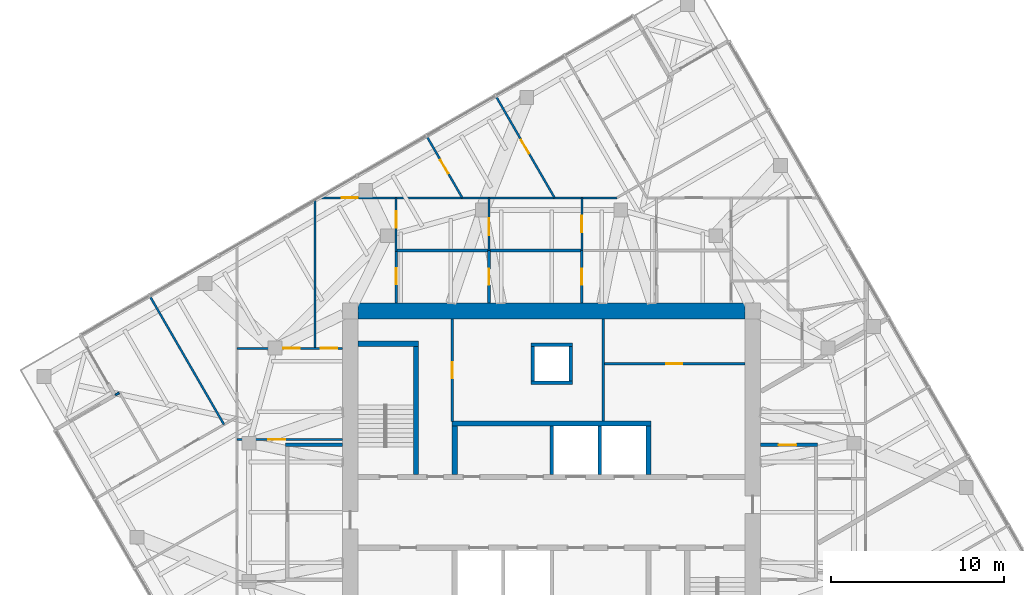
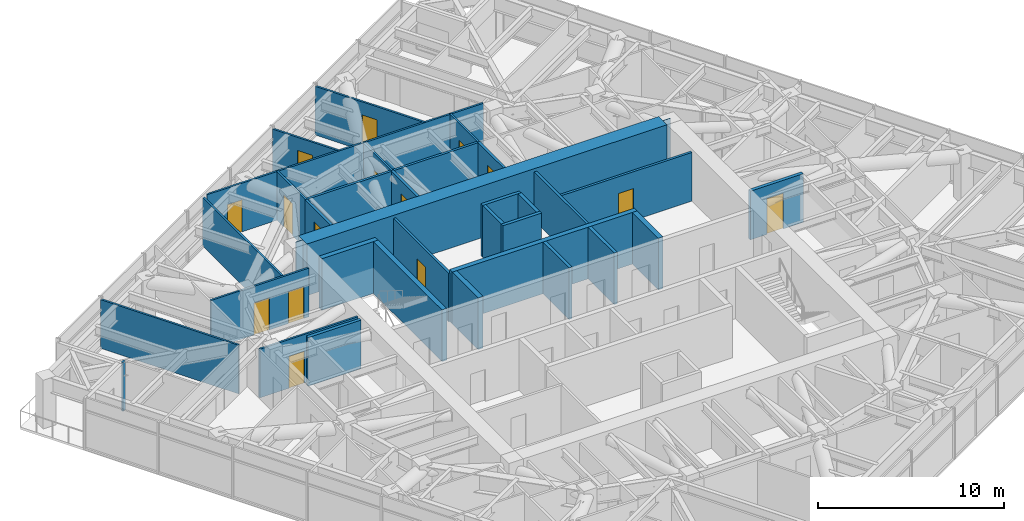
# One storey, part 13 of 16: 32 walls, 15 doors, 15 openings.
"""IFC4 building model written with IfcOpenShell, lengths in metres."""

from ifc_helpers import new_model, si_unit, direction, frame, frame_2d, origin, place, context, subcontext, project, spatial, polyline, rectangle, outline, extrude, material, layer, layer_set, type_object, element, fill, save


model = new_model("IFC4")

# Units and contexts
model_context = context("Model", 3, precision=1e-05, world=origin(), true_north=direction((0.0, 1.0)))
body_context = subcontext(model_context, "Body", "Model", "MODEL_VIEW")
ifc_project = project(units=[si_unit("LENGTHUNIT", "METRE"), si_unit("AREAUNIT", "SQUARE_METRE"), si_unit("VOLUMEUNIT", "CUBIC_METRE"), si_unit("PLANEANGLEUNIT", "RADIAN"), si_unit("MASSUNIT", "GRAM", prefix="KILO")], contexts=[model_context])

# Site, building, storey
site_placement = place(None, origin())
site = spatial("IfcSite", under=ifc_project, at=site_placement, CompositionType="ELEMENT")
building_placement = place(site_placement, origin())
building = spatial("IfcBuilding", under=site, at=building_placement, Name="Torsade Residences", CompositionType="ELEMENT")
storey_placement = place(building_placement, frame((0.0, 0.0, 232.0)))
storey = spatial("IfcBuildingStorey", under=building, at=storey_placement, Name="L64", CompositionType="ELEMENT", Elevation=232.0)

# Walls
ifc_material_1 = material(Name="Concrete 80 MPa", Category="concrete")
ifc_layer_1 = layer(ifc_material_1, 0.300048828125)
ifc_layer_set_1 = layer_set([ifc_layer_1], Name="Concrete 80 MPa")
wall_type_1 = type_object("IfcWallType", Name="CORE INTERNAL WALL 300", PredefinedType="SHEAR", material=ifc_layer_set_1)
wall_1_placement = place(storey_placement, frame((34.25, 35.14990234375, 0.0), z_axis=(0.0, 0.0, 1.0), x_axis=(1.0, 0.0, 0.0)))
element("IfcWall", 1, at=wall_1_placement, inside=storey, type_object=wall_type_1, Name="Core wall BN L64", PredefinedType="SHEAR", context=body_context, shape_type="SweptSolid", body=[
    extrude(rectangle(XDim=11.5, YDim=0.300048828125, at=frame_2d((5.75, 0.0))), origin(), (0.0, 0.0, 1.0), 3.39990234375),
])
for number, where, z_axis, x_axis, name in (
    (2, (34.39990234375, 32.199951171875, 0.0), (0.0, 0.0, 1.0), (0.0, 1.0, 0.0), "Core wall DN0 L64"),
    (3, (45.60009765625, 32.199951171875, 0.0), (0.0, 0.0, 1.0), (0.0, 1.0, 0.0), "Core wall DN4 L64"),
):
    element("IfcWall", number, at=place(storey_placement, frame(where, z_axis=z_axis, x_axis=x_axis)), inside=storey, type_object=wall_type_1, Name=name, PredefinedType="SHEAR", context=body_context, shape_type="SweptSolid", body=[
        extrude(rectangle(XDim=2.800048828125, YDim=0.300048828125, at=frame_2d((1.39990234375, 0.0))), origin(), (0.0, 0.0, 1.0), 3.39990234375),
    ])
wall_2_placement = place(storey_placement, frame((32.14990234375, 32.199951171875, 0.0), z_axis=(0.0, 0.0, 1.0), x_axis=(0.0, 1.0, 0.0)))
element("IfcWall", 4, at=wall_2_placement, inside=storey, type_object=wall_type_1, Name="Core wall ST1E L64", PredefinedType="SHEAR", context=body_context, shape_type="SweptSolid", body=[
    extrude(rectangle(XDim=7.699951171875, YDim=0.300048828125, at=frame_2d((3.85009765625, 0.0))), origin(), (0.0, 0.0, 1.0), 3.39990234375),
])
wall_3_placement = place(storey_placement, frame((28.800048828125, 39.75, 0.0), z_axis=(0.0, 0.0, 1.0), x_axis=(1.0, 0.0, 0.0)))
element("IfcWall", 5, at=wall_3_placement, inside=storey, type_object=wall_type_1, Name="Core wall ST1N L64", PredefinedType="SHEAR", context=body_context, shape_type="SweptSolid", body=[
    extrude(rectangle(XDim=3.5, YDim=0.300048828125, at=frame_2d((1.75, 0.0))), origin(), (0.0, 0.0, 1.0), 3.39990234375),
])
ifc_material_2 = material(Name="Concrete 80 MPa", Category="concrete")
ifc_layer_2 = layer(ifc_material_2, 0.89990234375)
ifc_layer_set_2 = layer_set([ifc_layer_2], Name="Concrete 80 MPa")
wall_type_2 = type_object("IfcWallType", Name="CORE WALL 900", PredefinedType="SHEAR", material=ifc_layer_set_2)
wall_4_placement = place(storey_placement, frame((28.800048828125, 41.64990234375, 0.0), z_axis=(0.0, 0.0, 1.0), x_axis=(1.0, 0.0, 0.0)))
element("IfcWall", 6, at=wall_4_placement, inside=storey, type_object=wall_type_2, Name="Core wall N L64", PredefinedType="SHEAR", context=body_context, shape_type="SweptSolid", body=[
    extrude(outline(polyline([(0.0, -0.449951171875), (22.39990234375, -0.449951171875), (22.39990234375, -0.02490234375), (22.849853515625, -0.02490234375), (22.849853515625, 0.02490234375), (22.39990234375, 0.02490234375), (22.39990234375, 0.449951171875), (0.0, 0.449951171875), (0.0, 0.02490234375), (-0.449951171875, 0.02490234375), (-0.449951171875, -0.02490234375), (0.0, -0.02490234375), (0.0, -0.449951171875)])), origin(), (0.0, 0.0, 1.0), 3.39990234375),
])

# Wall, opening, door
ifc_material_3 = material(Name="Plasterboard on steel stud", Category="steel")
ifc_layer_3 = layer(ifc_material_3, 0.199951171875)
ifc_layer_set_3 = layer_set([ifc_layer_3], Name="Plasterboard on steel stud")
wall_type_3 = type_object("IfcWallType", Name="CORRIDOR WALL 200", PredefinedType="PARTITIONING", material=ifc_layer_set_3)
wall_5_placement = place(storey_placement, frame((52.10009765625, 33.89990234375, 0.0), z_axis=(0.0, 0.0, 1.0), x_axis=(1.0, 0.0, 0.0)))
wall_5 = element("IfcWall", 7, at=wall_5_placement, inside=storey, type_object=wall_type_3, Name="Corridor wall L64", PredefinedType="PARTITIONING", context=body_context, shape_type="SweptSolid", body=[
    extrude(rectangle(XDim=3.2998046875, YDim=0.199951171875, at=frame_2d((1.64990234375, 0.0))), origin(), (0.0, 0.0, 1.0), 3.199951171875),
])
opening_1_placement = place(wall_5_placement, frame((1.0400390625, 0.0, 0.0)))
opening_1 = element("IfcOpeningElement", 8, at=opening_1_placement, cuts=wall_5, Name="Opening D01", PredefinedType="OPENING", context=body_context, shape_type="SweptSolid", body=[
    extrude(rectangle(XDim=1.02001953125, YDim=2.340087890625, at=frame_2d((0.510009765625, 1.169921875))), frame((0.0, 0.10986328125, 0.0), z_axis=(0.0, -1.0, 0.0), x_axis=(1.0, 0.0, 0.0)), (0.0, 0.0, 1.0), 0.219970703125),
])
ifc_material_4 = material(Name="Solid-core timber fire door", Category="wood")
door_type_1 = type_object("IfcDoorType", Name="APARTMENT ENTRY DOOR 1020x2340", OperationType="NOTDEFINED", PredefinedType="DOOR", material=ifc_material_4)
door_1_placement = place(opening_1_placement, origin())
door_1 = element("IfcDoor", 9, at=door_1_placement, inside=storey, type_object=door_type_1, Name="Door Residential corridor to Kitchen and dining", OperationType="SINGLE_SWING_LEFT", OverallHeight=2.340087890625, OverallWidth=1.02001953125, PredefinedType="DOOR", context=body_context, shape_type="SweptSolid", body=[
    extrude(rectangle(XDim=1.02001953125, YDim=2.340087890625, at=frame_2d((0.510009765625, 1.169921875))), frame((0.0, 0.02490234375, 0.0), z_axis=(0.0, -1.0, 0.0), x_axis=(1.0, 0.0, 0.0)), (0.0, 0.0, 1.0), 0.050048828125),
])
fill(opening_1, door_1)

# Walls
wall_6_placement = place(storey_placement, frame((27.89990234375, 33.89990234375, 0.0), z_axis=(0.0, 0.0, 1.0), x_axis=(-1.0, 0.0, 0.0)))
element("IfcWall", 10, at=wall_6_placement, inside=storey, type_object=wall_type_3, Name="Corridor wall L64", PredefinedType="PARTITIONING", context=body_context, shape_type="SweptSolid", body=[
    extrude(rectangle(XDim=3.2998046875, YDim=0.199951171875, at=frame_2d((1.64990234375, 0.0))), origin(), (0.0, 0.0, 1.0), 3.199951171875),
])
ifc_material_5 = material(Name="Reinforced blockwork", Category="masonry")
ifc_layer_4 = layer(ifc_material_5, 0.199951171875)
ifc_layer_set_4 = layer_set([ifc_layer_4], Name="Reinforced blockwork")
wall_type_4 = type_object("IfcWallType", Name="LIFT SHAFT DIVIDING WALL 200", PredefinedType="SOLIDWALL", material=ifc_layer_set_4)
for number, where, z_axis, x_axis, name in (
    (11, (40.0, 32.199951171875, 0.0), (0.0, 0.0, 1.0), (0.0, 1.0, 0.0), "Core wall DN2 L64"),
    (12, (42.800048828125, 32.199951171875, 0.0), (0.0, 0.0, 1.0), (0.0, 1.0, 0.0), "Core wall DN3 L64"),
):
    element("IfcWall", number, at=place(storey_placement, frame(where, z_axis=z_axis, x_axis=x_axis)), inside=storey, type_object=wall_type_4, Name=name, PredefinedType="SOLIDWALL", context=body_context, shape_type="SweptSolid", body=[
        extrude(rectangle(XDim=2.800048828125, YDim=0.199951171875, at=frame_2d((1.39990234375, 0.0))), origin(), (0.0, 0.0, 1.0), 3.39990234375),
    ])

# Wall, opening, door
ifc_material_6 = material(Name="Plasterboard on steel stud", Category="steel")
ifc_layer_5 = layer(ifc_material_6, 0.1201171875)
ifc_layer_set_5 = layer_set([ifc_layer_5], Name="Plasterboard on steel stud")
wall_type_5 = type_object("IfcWallType", Name="PARTITION 120", PredefinedType="PARTITIONING", material=ifc_layer_set_5)
wall_7_placement = place(storey_placement, frame((21.800048828125, 34.2158203125, 0.0), z_axis=(0.0, 0.0, 1.0), x_axis=(1.0, 0.0, 0.0)))
wall_7 = element("IfcWall", 13, at=wall_7_placement, inside=storey, type_object=wall_type_5, Name="Partition L64", PredefinedType="PARTITIONING", context=body_context, shape_type="SweptSolid", body=[
    extrude(rectangle(XDim=6.099853515625, YDim=0.1201171875, at=frame_2d((3.0498046875, 0.0))), origin(), (0.0, 0.0, 1.0), 3.199951171875),
])
opening_2_placement = place(wall_7_placement, frame((1.820068359375, 0.0, 0.0)))
opening_2 = element("IfcOpeningElement", 14, at=opening_2_placement, cuts=wall_7, Name="Opening D05", PredefinedType="OPENING", context=body_context, shape_type="SweptSolid", body=[
    extrude(rectangle(XDim=0.9599609375, YDim=2.10009765625, at=frame_2d((0.47998046875, 1.050048828125))), frame((0.0, 0.070068359375, 0.0), z_axis=(0.0, -1.0, 0.0), x_axis=(1.0, 0.0, 0.0)), (0.0, 0.0, 1.0), 0.14013671875),
])
ifc_material_7 = material(Name="Hollow-core timber door in a steel cavity frame", Category="steel")
door_type_2 = type_object("IfcDoorType", Name="BATHROOM CAVITY SLIDING DOOR 960", OperationType="SLIDING_TO_LEFT", PredefinedType="DOOR", material=ifc_material_7)
door_2_placement = place(opening_2_placement, origin())
door_2 = element("IfcDoor", 15, at=door_2_placement, inside=storey, type_object=door_type_2, Name="Door Kitchen and dining to Laundry", OperationType="SLIDING_TO_LEFT", OverallHeight=2.10009765625, OverallWidth=0.9599609375, PredefinedType="DOOR", context=body_context, shape_type="SweptSolid", body=[
    extrude(rectangle(XDim=0.9599609375, YDim=2.10009765625, at=frame_2d((0.47998046875, 1.050048828125))), frame((0.0, 0.02490234375, 0.0), z_axis=(0.0, -1.0, 0.0), x_axis=(1.0, 0.0, 0.0)), (0.0, 0.0, 1.0), 0.050048828125),
])
fill(opening_2, door_2)

# Wall
wall_8_placement = place(storey_placement, frame((26.322021484375, 39.489501953125, 0.0), z_axis=(0.0, 0.0, 1.0), x_axis=(0.0, 1.0, 0.0)))
element("IfcWall", 16, at=wall_8_placement, inside=storey, type_object=wall_type_5, Name="Partition L64", PredefinedType="PARTITIONING", context=body_context, shape_type="SweptSolid", body=[
    extrude(rectangle(XDim=8.548095703125, YDim=0.1201171875, at=frame_2d((4.27392578125, 0.0))), origin(), (0.0, 0.0, 1.0), 3.199951171875),
])

# Wall, openings, doors
wall_9_placement = place(storey_placement, frame((27.89990234375, 39.489501953125, 0.0), z_axis=(0.0, 0.0, 1.0), x_axis=(-1.0, 0.0, 0.0)))
wall_9 = element("IfcWall", 17, at=wall_9_placement, inside=storey, type_object=wall_type_5, Name="Partition L64", PredefinedType="PARTITIONING", context=body_context, shape_type="SweptSolid", body=[
    extrude(rectangle(XDim=6.099853515625, YDim=0.1201171875, at=frame_2d((3.0498046875, 0.0))), origin(), (0.0, 0.0, 1.0), 3.199951171875),
])
opening_3_placement = place(wall_9_placement, frame((2.458984375, 0.0, 0.0)))
opening_3 = element("IfcOpeningElement", 18, at=opening_3_placement, cuts=wall_9, Name="Opening D05", PredefinedType="OPENING", context=body_context, shape_type="SweptSolid", body=[
    extrude(rectangle(XDim=0.9599609375, YDim=2.10009765625, at=frame_2d((0.47998046875, 1.050048828125))), frame((0.0, 0.070068359375, 0.0), z_axis=(0.0, -1.0, 0.0), x_axis=(1.0, 0.0, 0.0)), (0.0, 0.0, 1.0), 0.14013671875),
])
opening_4_placement = place(wall_9_placement, frame((0.30908203125, 0.0, 0.0)))
opening_4 = element("IfcOpeningElement", 19, at=opening_4_placement, cuts=wall_9, Name="Opening D05", PredefinedType="OPENING", context=body_context, shape_type="SweptSolid", body=[
    extrude(rectangle(XDim=0.9599609375, YDim=2.10009765625, at=frame_2d((0.47998046875, 1.050048828125))), frame((0.0, 0.070068359375, 0.0), z_axis=(0.0, -1.0, 0.0), x_axis=(1.0, 0.0, 0.0)), (0.0, 0.0, 1.0), 0.14013671875),
])
door_3_placement = place(opening_3_placement, origin())
door_3 = element("IfcDoor", 20, at=door_3_placement, inside=storey, type_object=door_type_2, Name="Door Laundry to Pantry", OperationType="SLIDING_TO_LEFT", OverallHeight=2.10009765625, OverallWidth=0.9599609375, PredefinedType="DOOR", context=body_context, shape_type="SweptSolid", body=[
    extrude(rectangle(XDim=0.9599609375, YDim=2.10009765625, at=frame_2d((0.47998046875, 1.050048828125))), frame((0.0, 0.02490234375, 0.0), z_axis=(0.0, -1.0, 0.0), x_axis=(1.0, 0.0, 0.0)), (0.0, 0.0, 1.0), 0.050048828125),
])
fill(opening_3, door_3)
door_4_placement = place(opening_4_placement, origin())
door_4 = element("IfcDoor", 21, at=door_4_placement, inside=storey, type_object=door_type_2, Name="Door Laundry to Scullery", OperationType="SLIDING_TO_LEFT", OverallHeight=2.10009765625, OverallWidth=0.9599609375, PredefinedType="DOOR", context=body_context, shape_type="SweptSolid", body=[
    extrude(rectangle(XDim=0.9599609375, YDim=2.10009765625, at=frame_2d((0.47998046875, 1.050048828125))), frame((0.0, 0.02490234375, 0.0), z_axis=(0.0, -1.0, 0.0), x_axis=(1.0, 0.0, 0.0)), (0.0, 0.0, 1.0), 0.050048828125),
])
fill(opening_4, door_4)

# Wall, opening, door
wall_10_placement = place(storey_placement, frame((31.002685546875, 48.199951171875, 0.0), z_axis=(0.0, 0.0, 1.0), x_axis=(0.0, -1.0, 0.0)))
wall_10 = element("IfcWall", 22, at=wall_10_placement, inside=storey, type_object=wall_type_5, Name="Partition L64", PredefinedType="PARTITIONING", context=body_context, shape_type="SweptSolid", body=[
    extrude(rectangle(XDim=3.099853515625, YDim=0.1201171875, at=frame_2d((1.5498046875, 0.0))), origin(), (0.0, 0.0, 1.0), 3.199951171875),
])
opening_5_placement = place(wall_10_placement, frame((0.77001953125, 0.0, 0.0)))
opening_5 = element("IfcOpeningElement", 23, at=opening_5_placement, cuts=wall_10, Name="Opening D05", PredefinedType="OPENING", context=body_context, shape_type="SweptSolid", body=[
    extrude(rectangle(XDim=0.9599609375, YDim=2.10009765625, at=frame_2d((0.47998046875, 1.050048828125))), frame((0.0, 0.070068359375, 0.0), z_axis=(0.0, -1.0, 0.0), x_axis=(1.0, 0.0, 0.0)), (0.0, 0.0, 1.0), 0.14013671875),
])
door_5_placement = place(opening_5_placement, origin())
door_5 = element("IfcDoor", 24, at=door_5_placement, inside=storey, type_object=door_type_2, Name="Door Scullery to Laundry 2", OperationType="SLIDING_TO_LEFT", OverallHeight=2.10009765625, OverallWidth=0.9599609375, PredefinedType="DOOR", context=body_context, shape_type="SweptSolid", body=[
    extrude(rectangle(XDim=0.9599609375, YDim=2.10009765625, at=frame_2d((0.47998046875, 1.050048828125))), frame((0.0, 0.02490234375, 0.0), z_axis=(0.0, -1.0, 0.0), x_axis=(1.0, 0.0, 0.0)), (0.0, 0.0, 1.0), 0.050048828125),
])
fill(opening_5, door_5)

wall_11_placement = place(storey_placement, frame((26.603271484375, 48.199951171875, 0.0), z_axis=(0.0, 0.0, 1.0), x_axis=(1.0, 0.0, 0.0)))
wall_11 = element("IfcWall", 25, at=wall_11_placement, inside=storey, type_object=wall_type_5, Name="Partition L64", PredefinedType="PARTITIONING", context=body_context, shape_type="SweptSolid", body=[
    extrude(rectangle(XDim=17.170166015625, YDim=0.1201171875, at=frame_2d((8.5849609375, 0.0))), origin(), (0.0, 0.0, 1.0), 3.199951171875),
])
opening_6_placement = place(wall_11_placement, frame((1.249755859375, 0.0, 0.0)))
opening_6 = element("IfcOpeningElement", 26, at=opening_6_placement, cuts=wall_11, Name="Opening D02L", PredefinedType="OPENING", context=body_context, shape_type="SweptSolid", body=[
    extrude(rectangle(XDim=0.919921875, YDim=2.10009765625, at=frame_2d((0.4599609375, 1.050048828125))), frame((0.0, 0.070068359375, 0.0), z_axis=(0.0, -1.0, 0.0), x_axis=(1.0, 0.0, 0.0)), (0.0, 0.0, 1.0), 0.14013671875),
])
ifc_material_8 = material(Name="Hollow-core timber door", Category="wood")
door_type_3 = type_object("IfcDoorType", Name="INTERNAL DOOR 920x2100", OperationType="NOTDEFINED", PredefinedType="DOOR", material=ifc_material_8)
door_6_placement = place(opening_6_placement, origin())
door_6 = element("IfcDoor", 27, at=door_6_placement, inside=storey, type_object=door_type_3, Name="Door Scullery to Media room 3", OperationType="SINGLE_SWING_RIGHT", OverallHeight=2.10009765625, OverallWidth=0.919921875, PredefinedType="DOOR", context=body_context, shape_type="SweptSolid", body=[
    extrude(rectangle(XDim=0.919921875, YDim=2.10009765625, at=frame_2d((0.4599609375, 1.050048828125))), frame((0.0, 0.02490234375, 0.0), z_axis=(0.0, -1.0, 0.0), x_axis=(1.0, 0.0, 0.0)), (0.0, 0.0, 1.0), 0.050048828125),
])
fill(opening_6, door_6)

wall_12_placement = place(storey_placement, frame((41.75341796875, 45.14990234375, 0.0), z_axis=(0.0, 0.0, 1.0), x_axis=(0.0, 1.0, 0.0)))
wall_12 = element("IfcWall", 28, at=wall_12_placement, inside=storey, type_object=wall_type_5, Name="Partition L64", PredefinedType="PARTITIONING", context=body_context, shape_type="SweptSolid", body=[
    extrude(rectangle(XDim=3.050048828125, YDim=0.1201171875, at=frame_2d((1.52490234375, 0.0))), origin(), (0.0, 0.0, 1.0), 3.199951171875),
])
opening_7_placement = place(wall_12_placement, frame((1.044921875, 0.0, 0.0)))
opening_7 = element("IfcOpeningElement", 29, at=opening_7_placement, cuts=wall_12, Name="Opening D05", PredefinedType="OPENING", context=body_context, shape_type="SweptSolid", body=[
    extrude(rectangle(XDim=0.9599609375, YDim=2.10009765625, at=frame_2d((0.47998046875, 1.050048828125))), frame((0.0, 0.070068359375, 0.0), z_axis=(0.0, -1.0, 0.0), x_axis=(1.0, 0.0, 0.0)), (0.0, 0.0, 1.0), 0.14013671875),
])
door_7_placement = place(opening_7_placement, origin())
door_7 = element("IfcDoor", 30, at=door_7_placement, inside=storey, type_object=door_type_2, Name="Door Walk-in robe to Ensuite", OperationType="SLIDING_TO_LEFT", OverallHeight=2.10009765625, OverallWidth=0.9599609375, PredefinedType="DOOR", context=body_context, shape_type="SweptSolid", body=[
    extrude(rectangle(XDim=0.9599609375, YDim=2.10009765625, at=frame_2d((0.47998046875, 1.050048828125))), frame((0.0, 0.02490234375, 0.0), z_axis=(0.0, -1.0, 0.0), x_axis=(1.0, 0.0, 0.0)), (0.0, 0.0, 1.0), 0.050048828125),
])
fill(opening_7, door_7)

wall_13_placement = place(storey_placement, frame((36.378173828125, 48.199951171875, 0.0), z_axis=(0.0, 0.0, 1.0), x_axis=(0.0, -1.0, 0.0)))
wall_13 = element("IfcWall", 31, at=wall_13_placement, inside=storey, type_object=wall_type_5, Name="Partition L64", PredefinedType="PARTITIONING", context=body_context, shape_type="SweptSolid", body=[
    extrude(rectangle(XDim=3.050048828125, YDim=0.1201171875, at=frame_2d((1.52490234375, 0.0))), origin(), (0.0, 0.0, 1.0), 3.199951171875),
])
opening_8_placement = place(wall_13_placement, frame((1.195068359375, 0.0, 0.0)))
opening_8 = element("IfcOpeningElement", 32, at=opening_8_placement, cuts=wall_13, Name="Opening D05", PredefinedType="OPENING", context=body_context, shape_type="SweptSolid", body=[
    extrude(rectangle(XDim=0.9599609375, YDim=2.10009765625, at=frame_2d((0.47998046875, 1.050048828125))), frame((0.0, 0.070068359375, 0.0), z_axis=(0.0, -1.0, 0.0), x_axis=(1.0, 0.0, 0.0)), (0.0, 0.0, 1.0), 0.14013671875),
])
door_8_placement = place(opening_8_placement, origin())
door_8 = element("IfcDoor", 33, at=door_8_placement, inside=storey, type_object=door_type_2, Name="Door Laundry 2 to Walk-in robe", OperationType="SLIDING_TO_LEFT", OverallHeight=2.10009765625, OverallWidth=0.9599609375, PredefinedType="DOOR", context=body_context, shape_type="SweptSolid", body=[
    extrude(rectangle(XDim=0.9599609375, YDim=2.10009765625, at=frame_2d((0.47998046875, 1.050048828125))), frame((0.0, 0.02490234375, 0.0), z_axis=(0.0, -1.0, 0.0), x_axis=(1.0, 0.0, 0.0)), (0.0, 0.0, 1.0), 0.050048828125),
])
fill(opening_8, door_8)

# Walls
wall_14_placement = place(storey_placement, frame((16.75390625, 42.513427734375, 0.0), z_axis=(0.0, 0.0, 1.0), x_axis=(0.500017009237, -0.866015583274, 0.0)))
element("IfcWall", 34, at=wall_14_placement, inside=storey, type_object=wall_type_5, Name="Partition L64", PredefinedType="PARTITIONING", context=body_context, shape_type="SweptSolid", body=[
    extrude(rectangle(XDim=8.585693359375, YDim=0.1201171875, at=frame_2d((4.29296875, 0.0))), origin(), (0.0, 0.0, 1.0), 3.199951171875),
])
wall_15_placement = place(storey_placement, frame((14.975830078125, 36.9140625, 0.0), z_axis=(0.0, 0.0, 1.0), x_axis=(-0.86640078905, -0.499349249257, 0.0)))
element("IfcWall", 35, at=wall_15_placement, inside=storey, type_object=wall_type_5, Name="Partition L64", PredefinedType="PARTITIONING", context=body_context, shape_type="SweptSolid", body=[
    extrude(rectangle(XDim=0.245361328125, YDim=0.1201171875, at=frame_2d((0.12255859375, 0.0))), origin(), (0.0, 0.0, 1.0), 3.199951171875),
])

# Wall, opening, door
wall_16_placement = place(storey_placement, frame((40.17333984375, 48.199951171875, 0.0), z_axis=(0.0, 0.0, 1.0), x_axis=(-0.500009005995, 0.866020204108, 0.0)))
wall_16 = element("IfcWall", 36, at=wall_16_placement, inside=storey, type_object=wall_type_5, Name="Partition L64", PredefinedType="PARTITIONING", context=body_context, shape_type="SweptSolid", body=[
    extrude(rectangle(XDim=6.784912109375, YDim=0.1201171875, at=frame_2d((3.392578125, 0.0))), origin(), (0.0, 0.0, 1.0), 3.199951171875),
])
opening_9_placement = place(wall_16_placement, frame((2.952392578125, 0.0, 0.0)))
opening_9 = element("IfcOpeningElement", 37, at=opening_9_placement, cuts=wall_16, Name="Opening D02", PredefinedType="OPENING", context=body_context, shape_type="SweptSolid", body=[
    extrude(rectangle(XDim=0.919921875, YDim=2.340087890625, at=frame_2d((0.4599609375, 1.169921875))), frame((0.0, 0.070068359375, 0.0), z_axis=(0.0, -1.0, 0.0), x_axis=(1.0, 0.0, 0.0)), (0.0, 0.0, 1.0), 0.14013671875),
])
ifc_material_9 = material(Name="Hollow-core timber door", Category="wood")
door_type_4 = type_object("IfcDoorType", Name="INTERNAL DOOR 920x2340", OperationType="NOTDEFINED", PredefinedType="DOOR", material=ifc_material_9)
door_9_placement = place(opening_9_placement, origin())
door_9 = element("IfcDoor", 38, at=door_9_placement, inside=storey, type_object=door_type_4, Name="Door Family room 2 to Study 2", OperationType="SINGLE_SWING_LEFT", OverallHeight=2.340087890625, OverallWidth=0.919921875, PredefinedType="DOOR", context=body_context, shape_type="SweptSolid", body=[
    extrude(rectangle(XDim=0.919921875, YDim=2.340087890625, at=frame_2d((0.4599609375, 1.169921875))), frame((0.0, 0.02490234375, 0.0), z_axis=(0.0, -1.0, 0.0), x_axis=(1.0, 0.0, 0.0)), (0.0, 0.0, 1.0), 0.050048828125),
])
fill(opening_9, door_9)

wall_17_placement = place(storey_placement, frame((34.832763671875, 48.199951171875, 0.0), z_axis=(0.0, 0.0, 1.0), x_axis=(-0.499999798456, 0.866025520146, 0.0)))
wall_17 = element("IfcWall", 39, at=wall_17_placement, inside=storey, type_object=wall_type_5, Name="Partition L64", PredefinedType="PARTITIONING", context=body_context, shape_type="SweptSolid", body=[
    extrude(rectangle(XDim=4.11474609375, YDim=0.1201171875, at=frame_2d((2.057373046875, 0.0))), origin(), (0.0, 0.0, 1.0), 3.199951171875),
])
opening_10_placement = place(wall_17_placement, frame((1.617431640625, 0.0, 0.0)))
opening_10 = element("IfcOpeningElement", 40, at=opening_10_placement, cuts=wall_17, Name="Opening D02", PredefinedType="OPENING", context=body_context, shape_type="SweptSolid", body=[
    extrude(rectangle(XDim=0.919921875, YDim=2.340087890625, at=frame_2d((0.4599609375, 1.169921875))), frame((0.0, 0.070068359375, 0.0), z_axis=(0.0, -1.0, 0.0), x_axis=(1.0, 0.0, 0.0)), (0.0, 0.0, 1.0), 0.14013671875),
])
door_10_placement = place(opening_10_placement, origin())
door_10 = element("IfcDoor", 41, at=door_10_placement, inside=storey, type_object=door_type_4, Name="Door Media room 3 to Family room 2", OperationType="SINGLE_SWING_LEFT", OverallHeight=2.340087890625, OverallWidth=0.919921875, PredefinedType="DOOR", context=body_context, shape_type="SweptSolid", body=[
    extrude(rectangle(XDim=0.919921875, YDim=2.340087890625, at=frame_2d((0.4599609375, 1.169921875))), frame((0.0, 0.02490234375, 0.0), z_axis=(0.0, -1.0, 0.0), x_axis=(1.0, 0.0, 0.0)), (0.0, 0.0, 1.0), 0.050048828125),
])
fill(opening_10, door_10)

# Walls
ifc_material_10 = material(Name="Reinforced blockwork", Category="masonry")
ifc_layer_6 = layer(ifc_material_10, 0.199951171875)
ifc_layer_set_6 = layer_set([ifc_layer_6], Name="Reinforced blockwork")
wall_type_6 = type_object("IfcWallType", Name="RISER SHAFT WALL 200", PredefinedType="SOLIDWALL", material=ifc_layer_set_6)
for number, where, z_axis, x_axis, name in (
    (42, (38.89990234375, 37.60009765625, 0.0), (0.0, 0.0, 1.0), (0.0, 1.0, 0.0), "Core wall RS1a L64"),
    (43, (41.10009765625, 37.60009765625, 0.0), (0.0, 0.0, 1.0), (0.0, 1.0, 0.0), "Core wall RS1b L64"),
):
    element("IfcWall", number, at=place(storey_placement, frame(where, z_axis=z_axis, x_axis=x_axis)), inside=storey, type_object=wall_type_6, Name=name, PredefinedType="SOLIDWALL", context=body_context, shape_type="SweptSolid", body=[
        extrude(rectangle(XDim=2.0, YDim=0.199951171875, at=frame_2d((1.0, 0.0))), origin(), (0.0, 0.0, 1.0), 3.39990234375),
    ])
for number, where, z_axis, x_axis, name in (
    (44, (38.800048828125, 37.5, 0.0), (0.0, 0.0, 1.0), (1.0, 0.0, 0.0), "Core wall RS1c L64"),
    (45, (38.800048828125, 39.699951171875, 0.0), (0.0, 0.0, 1.0), (1.0, 0.0, 0.0), "Core wall RS1d L64"),
):
    element("IfcWall", number, at=place(storey_placement, frame(where, z_axis=z_axis, x_axis=x_axis)), inside=storey, type_object=wall_type_6, Name=name, PredefinedType="SOLIDWALL", context=body_context, shape_type="SweptSolid", body=[
        extrude(rectangle(XDim=2.39990234375, YDim=0.199951171875, at=frame_2d((1.199951171875, 0.0))), origin(), (0.0, 0.0, 1.0), 3.39990234375),
    ])

# Wall, opening, door
ifc_material_11 = material(Name="Reinforced blockwork", Category="masonry")
ifc_layer_7 = layer(ifc_material_11, 0.14990234375)
ifc_layer_set_7 = layer_set([ifc_layer_7], Name="Reinforced blockwork")
wall_type_7 = type_object("IfcWallType", Name="SERVICE ROOM WALL 150", PredefinedType="SOLIDWALL", material=ifc_layer_set_7)
wall_18_placement = place(storey_placement, frame((34.25, 41.199951171875, 0.0), z_axis=(0.0, 0.0, 1.0), x_axis=(0.0, -1.0, 0.0)))
wall_18 = element("IfcWall", 46, at=wall_18_placement, inside=storey, type_object=wall_type_7, Name="Service room wall L64", PredefinedType="SOLIDWALL", context=body_context, shape_type="SweptSolid", body=[
    extrude(rectangle(XDim=5.949951171875, YDim=0.14990234375, at=frame_2d((2.97509765625, 0.0))), origin(), (0.0, 0.0, 1.0), 3.199951171875),
])
opening_11_placement = place(wall_18_placement, frame((2.514892578125, 0.0, 0.0)))
opening_11 = element("IfcOpeningElement", 47, at=opening_11_placement, cuts=wall_18, Name="Opening D06", PredefinedType="OPENING", context=body_context, shape_type="SweptSolid", body=[
    extrude(rectangle(XDim=0.919921875, YDim=2.10009765625, at=frame_2d((0.4599609375, 1.050048828125))), frame((0.0, 0.0849609375, 0.0), z_axis=(0.0, -1.0, 0.0), x_axis=(1.0, 0.0, 0.0)), (0.0, 0.0, 1.0), 0.169921875),
])
ifc_material_12 = material(Name="Steel-framed fire door", Category="steel")
door_type_5 = type_object("IfcDoorType", Name="FIRE DOOR 920", OperationType="NOTDEFINED", PredefinedType="DOOR", material=ifc_material_12)
door_11_placement = place(opening_11_placement, origin())
door_11 = element("IfcDoor", 48, at=door_11_placement, inside=storey, type_object=door_type_5, Name="Door Meter store to Electrical riser room", OperationType="SINGLE_SWING_RIGHT", OverallHeight=2.10009765625, OverallWidth=0.919921875, PredefinedType="DOOR", context=body_context, shape_type="SweptSolid", body=[
    extrude(rectangle(XDim=0.919921875, YDim=2.10009765625, at=frame_2d((0.4599609375, 1.050048828125))), frame((0.0, 0.02490234375, 0.0), z_axis=(0.0, -1.0, 0.0), x_axis=(1.0, 0.0, 0.0)), (0.0, 0.0, 1.0), 0.050048828125),
])
fill(opening_11, door_11)

# Wall
wall_19_placement = place(storey_placement, frame((43.0, 41.199951171875, 0.0), z_axis=(0.0, 0.0, 1.0), x_axis=(0.0, -1.0, 0.0)))
element("IfcWall", 49, at=wall_19_placement, inside=storey, type_object=wall_type_7, Name="Service room wall L64", PredefinedType="SOLIDWALL", context=body_context, shape_type="SweptSolid", body=[
    extrude(rectangle(XDim=5.89990234375, YDim=0.14990234375, at=frame_2d((2.949951171875, 0.0))), origin(), (0.0, 0.0, 1.0), 3.199951171875),
])

# Wall, opening, door
wall_20_placement = place(storey_placement, frame((43.0, 38.60009765625, 0.0), z_axis=(0.0, 0.0, 1.0), x_axis=(1.0, 0.0, 0.0)))
wall_20 = element("IfcWall", 50, at=wall_20_placement, inside=storey, type_object=wall_type_7, Name="Service room wall L64", PredefinedType="SOLIDWALL", context=body_context, shape_type="SweptSolid", body=[
    extrude(rectangle(XDim=8.199951171875, YDim=0.14990234375, at=frame_2d((4.10009765625, 0.0))), origin(), (0.0, 0.0, 1.0), 3.199951171875),
])
opening_12_placement = place(wall_20_placement, frame((3.639892578125, 0.0, 0.0)))
opening_12 = element("IfcOpeningElement", 51, at=opening_12_placement, cuts=wall_20, Name="Opening D06", PredefinedType="OPENING", context=body_context, shape_type="SweptSolid", body=[
    extrude(rectangle(XDim=0.919921875, YDim=2.10009765625, at=frame_2d((0.4599609375, 1.050048828125))), frame((0.0, 0.0849609375, 0.0), z_axis=(0.0, -1.0, 0.0), x_axis=(1.0, 0.0, 0.0)), (0.0, 0.0, 1.0), 0.169921875),
])
door_12_placement = place(opening_12_placement, origin())
door_12 = element("IfcDoor", 52, at=door_12_placement, inside=storey, type_object=door_type_5, Name="Door Refuse room to Bulky waste store", OperationType="SINGLE_SWING_RIGHT", OverallHeight=2.10009765625, OverallWidth=0.919921875, PredefinedType="DOOR", context=body_context, shape_type="SweptSolid", body=[
    extrude(rectangle(XDim=0.919921875, YDim=2.10009765625, at=frame_2d((0.4599609375, 1.050048828125))), frame((0.0, 0.02490234375, 0.0), z_axis=(0.0, -1.0, 0.0), x_axis=(1.0, 0.0, 0.0)), (0.0, 0.0, 1.0), 0.050048828125),
])
fill(opening_12, door_12)

wall_21_placement = place(storey_placement, frame((31.002685546875, 45.10009765625, 0.0), z_axis=(0.0, 0.0, 1.0), x_axis=(0.0, -1.0, 0.0)))
wall_21 = element("IfcWall", 53, at=wall_21_placement, inside=storey, type_object=wall_type_7, Name="Service room wall L64", PredefinedType="SOLIDWALL", context=body_context, shape_type="SweptSolid", body=[
    extrude(rectangle(XDim=3.0, YDim=0.14990234375, at=frame_2d((1.5, 0.0))), origin(), (0.0, 0.0, 1.0), 3.199951171875),
])
opening_13_placement = place(wall_21_placement, frame((0.989990234375, 0.0, 0.0)))
opening_13 = element("IfcOpeningElement", 54, at=opening_13_placement, cuts=wall_21, Name="Opening D02", PredefinedType="OPENING", context=body_context, shape_type="SweptSolid", body=[
    extrude(rectangle(XDim=0.919921875, YDim=2.340087890625, at=frame_2d((0.4599609375, 1.169921875))), frame((0.0, 0.0849609375, 0.0), z_axis=(0.0, -1.0, 0.0), x_axis=(1.0, 0.0, 0.0)), (0.0, 0.0, 1.0), 0.169921875),
])
door_13_placement = place(opening_13_placement, origin())
door_13 = element("IfcDoor", 55, at=door_13_placement, inside=storey, type_object=door_type_4, Name="Door Scullery to Linen store 4", OperationType="SINGLE_SWING_LEFT", OverallHeight=2.340087890625, OverallWidth=0.919921875, PredefinedType="DOOR", context=body_context, shape_type="SweptSolid", body=[
    extrude(rectangle(XDim=0.919921875, YDim=2.340087890625, at=frame_2d((0.4599609375, 1.169921875))), frame((0.0, 0.02490234375, 0.0), z_axis=(0.0, -1.0, 0.0), x_axis=(1.0, 0.0, 0.0)), (0.0, 0.0, 1.0), 0.050048828125),
])
fill(opening_13, door_13)

wall_22_placement = place(storey_placement, frame((41.75341796875, 42.10009765625, 0.0), z_axis=(0.0, 0.0, 1.0), x_axis=(0.0, 1.0, 0.0)))
wall_22 = element("IfcWall", 56, at=wall_22_placement, inside=storey, type_object=wall_type_7, Name="Service room wall L64", PredefinedType="SOLIDWALL", context=body_context, shape_type="SweptSolid", body=[
    extrude(rectangle(XDim=3.0498046875, YDim=0.14990234375, at=frame_2d((1.52490234375, 0.0))), origin(), (0.0, 0.0, 1.0), 3.199951171875),
])
opening_14_placement = place(wall_22_placement, frame((1.06494140625, 0.0, 0.0)))
opening_14 = element("IfcOpeningElement", 57, at=opening_14_placement, cuts=wall_22, Name="Opening D02", PredefinedType="OPENING", context=body_context, shape_type="SweptSolid", body=[
    extrude(rectangle(XDim=0.919921875, YDim=2.340087890625, at=frame_2d((0.4599609375, 1.169921875))), frame((0.0, 0.0849609375, 0.0), z_axis=(0.0, -1.0, 0.0), x_axis=(1.0, 0.0, 0.0)), (0.0, 0.0, 1.0), 0.169921875),
])
door_14_placement = place(opening_14_placement, origin())
door_14 = element("IfcDoor", 58, at=door_14_placement, inside=storey, type_object=door_type_4, Name="Door Store to Dressing room 3", OperationType="SINGLE_SWING_RIGHT", OverallHeight=2.340087890625, OverallWidth=0.919921875, PredefinedType="DOOR", context=body_context, shape_type="SweptSolid", body=[
    extrude(rectangle(XDim=0.919921875, YDim=2.340087890625, at=frame_2d((0.4599609375, 1.169921875))), frame((0.0, 0.02490234375, 0.0), z_axis=(0.0, -1.0, 0.0), x_axis=(1.0, 0.0, 0.0)), (0.0, 0.0, 1.0), 0.050048828125),
])
fill(opening_14, door_14)

# Wall
wall_23_placement = place(storey_placement, frame((41.75341796875, 45.14990234375, 0.0), z_axis=(0.0, 0.0, 1.0), x_axis=(-1.0, 0.0, 0.0)))
element("IfcWall", 59, at=wall_23_placement, inside=storey, type_object=wall_type_7, Name="Service room wall L64", PredefinedType="SOLIDWALL", context=body_context, shape_type="SweptSolid", body=[
    extrude(rectangle(XDim=10.750732421875, YDim=0.14990234375, at=frame_2d((5.37548828125, 0.0))), origin(), (0.0, 0.0, 1.0), 3.199951171875),
])

# Wall, opening, door
wall_24_placement = place(storey_placement, frame((36.378173828125, 45.14990234375, 0.0), z_axis=(0.0, 0.0, 1.0), x_axis=(0.0, -1.0, 0.0)))
wall_24 = element("IfcWall", 60, at=wall_24_placement, inside=storey, type_object=wall_type_7, Name="Service room wall L64", PredefinedType="SOLIDWALL", context=body_context, shape_type="SweptSolid", body=[
    extrude(rectangle(XDim=3.0498046875, YDim=0.14990234375, at=frame_2d((1.52490234375, 0.0))), origin(), (0.0, 0.0, 1.0), 3.199951171875),
])
opening_15_placement = place(wall_24_placement, frame((1.06494140625, 0.0, 0.0)))
opening_15 = element("IfcOpeningElement", 61, at=opening_15_placement, cuts=wall_24, Name="Opening D02", PredefinedType="OPENING", context=body_context, shape_type="SweptSolid", body=[
    extrude(rectangle(XDim=0.919921875, YDim=2.340087890625, at=frame_2d((0.4599609375, 1.169921875))), frame((0.0, 0.0849609375, 0.0), z_axis=(0.0, -1.0, 0.0), x_axis=(1.0, 0.0, 0.0)), (0.0, 0.0, 1.0), 0.169921875),
])
door_15_placement = place(opening_15_placement, origin())
door_15 = element("IfcDoor", 62, at=door_15_placement, inside=storey, type_object=door_type_4, Name="Door Linen store 4 to Store", OperationType="SINGLE_SWING_LEFT", OverallHeight=2.340087890625, OverallWidth=0.919921875, PredefinedType="DOOR", context=body_context, shape_type="SweptSolid", body=[
    extrude(rectangle(XDim=0.919921875, YDim=2.340087890625, at=frame_2d((0.4599609375, 1.169921875))), frame((0.0, 0.02490234375, 0.0), z_axis=(0.0, -1.0, 0.0), x_axis=(1.0, 0.0, 0.0)), (0.0, 0.0, 1.0), 0.050048828125),
])
fill(opening_15, door_15)

save(model, "model.ifc")
